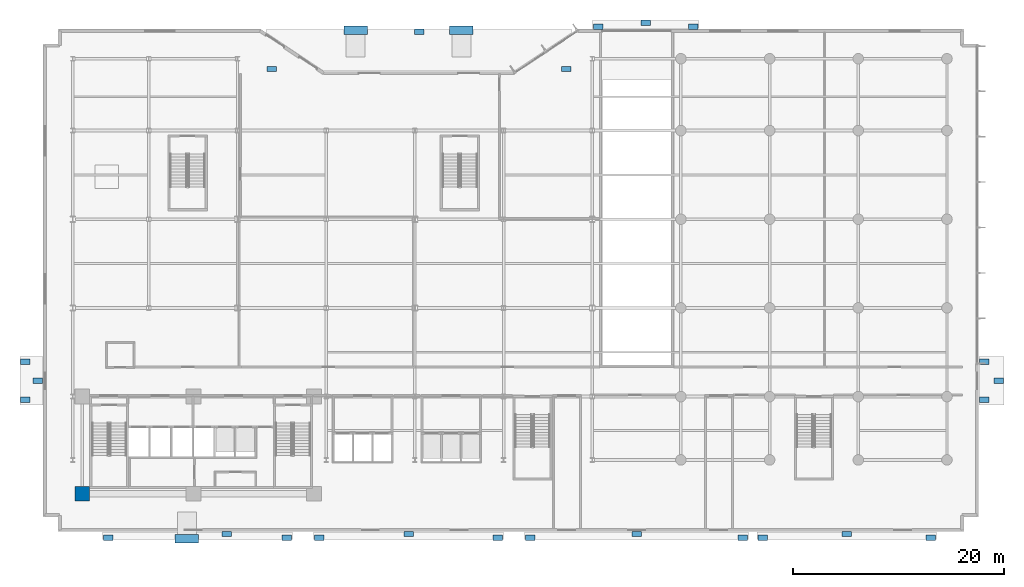
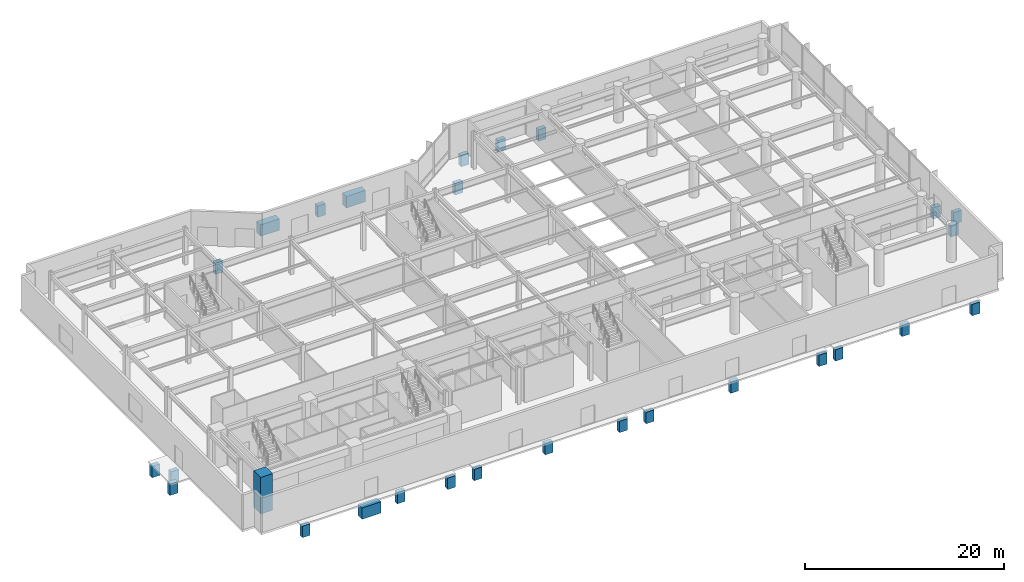
# One storey, part 1 of 26: 27 footings, 1 column.
"""IFC4 building model written with IfcOpenShell, lengths in metres."""

from ifc_helpers import new_model, si_unit, direction, frame, origin, origin_2d, place, context, subcontext, project, spatial, rectangle, extrude, material, layer, layer_set, material_profile, profile_set, type_object, element, save


model = new_model("IFC4")

# Units and contexts
model_context = context("Model", 3, precision=1e-05, world=origin(), true_north=direction((0.0, 1.0)))
body_context = subcontext(model_context, "Body", "Model", "MODEL_VIEW")
ifc_project = project(units=[si_unit("LENGTHUNIT", "METRE"), si_unit("AREAUNIT", "SQUARE_METRE"), si_unit("VOLUMEUNIT", "CUBIC_METRE"), si_unit("PLANEANGLEUNIT", "RADIAN"), si_unit("MASSUNIT", "GRAM", prefix="KILO")], contexts=[model_context])

# Site, building, storey
site_placement = place(None, origin())
site = spatial("IfcSite", under=ifc_project, at=site_placement, CompositionType="ELEMENT")
building_placement = place(site_placement, origin())
building = spatial("IfcBuilding", under=site, at=building_placement, Name="Varnakote Quay Hospital", CompositionType="ELEMENT")
storey_placement = place(building_placement, origin())
storey = spatial("IfcBuildingStorey", under=building, at=storey_placement, Name="L00", CompositionType="ELEMENT", Elevation=0.0)

# Footings
ifc_material_1 = material(Name="Concrete N50 (f'c 50 MPa)", Category="concrete")
ifc_layer = layer(ifc_material_1, 1.39990234375)
ifc_layer_set = layer_set([ifc_layer], Name="Concrete N50 (f'c 50 MPa)")
footing_type = type_object("IfcFootingType", Name="FTG-PAD-1400", PredefinedType="PAD_FOOTING", material=ifc_layer_set)
for number, where, z_axis, x_axis, name in (
    (1, (20.050048828125, 43.030029296875, -1.58984375), (0.0, 0.0, 1.0), (1.0, 0.0, 0.0), "Grade Apron Support Pad Footing 1"),
    (2, (47.949951171875, 43.030029296875, -1.58984375), (0.0, 0.0, 1.0), (1.0, 0.0, 0.0), "Grade Apron Support Pad Footing 1"),
    (3, (34.0, 46.570068359375, -1.58984375), (0.0, 0.0, 1.0), (1.0, 0.0, 0.0), "Grade Apron Support Pad Footing 1"),
    (4, (50.949951171875, 47.030029296875, -1.58984375), (0.0, 0.0, 1.0), (1.0, 0.0, 0.0), "Grade Apron Support Pad Footing 2"),
    (5, (59.949951171875, 47.030029296875, -1.58984375), (0.0, 0.0, 1.0), (1.0, 0.0, 0.0), "Grade Apron Support Pad Footing 2"),
    (6, (55.449951171875, 47.419921875, -1.58984375), (0.0, 0.0, 1.0), (1.0, 0.0, 0.0), "Grade Apron Support Pad Footing 2"),
    (7, (4.550048828125, -1.3701171875, -1.58984375), (0.0, 0.0, 1.0), (1.0, 0.0, 0.0), "Grade Apron Support Pad Footing 3"),
    (8, (21.449951171875, -1.3701171875, -1.58984375), (0.0, 0.0, 1.0), (1.0, 0.0, 0.0), "Grade Apron Support Pad Footing 3"),
    (9, (15.800048828125, -1.010009765625, -1.58984375), (0.0, 0.0, 1.0), (1.0, 0.0, 0.0), "Grade Apron Support Pad Footing 3"),
    (10, (24.550048828125, -1.3701171875, -1.58984375), (0.0, 0.0, 1.0), (1.0, 0.0, 0.0), "Grade Apron Support Pad Footing 4"),
    (11, (41.449951171875, -1.3701171875, -1.58984375), (0.0, 0.0, 1.0), (1.0, 0.0, 0.0), "Grade Apron Support Pad Footing 4"),
    (12, (33.0, -1.010009765625, -1.58984375), (0.0, 0.0, 1.0), (1.0, 0.0, 0.0), "Grade Apron Support Pad Footing 4"),
    (13, (44.550048828125, -1.3701171875, -1.58984375), (0.0, 0.0, 1.0), (1.0, 0.0, 0.0), "Grade Apron Support Pad Footing 5"),
    (14, (64.64990234375, -1.3701171875, -1.58984375), (0.0, 0.0, 1.0), (1.0, 0.0, 0.0), "Grade Apron Support Pad Footing 5"),
    (15, (54.60009765625, -1.010009765625, -1.58984375), (0.0, 0.0, 1.0), (1.0, 0.0, 0.0), "Grade Apron Support Pad Footing 5"),
    (16, (66.550048828125, -1.3701171875, -1.58984375), (0.0, 0.0, 1.0), (1.0, 0.0, 0.0), "Grade Apron Support Pad Footing 6"),
    (17, (82.449951171875, -1.3701171875, -1.58984375), (0.0, 0.0, 1.0), (1.0, 0.0, 0.0), "Grade Apron Support Pad Footing 6"),
    (18, (74.5, -1.010009765625, -1.58984375), (0.0, 0.0, 1.0), (1.0, 0.0, 0.0), "Grade Apron Support Pad Footing 6"),
    (19, (-3.300048828125, 11.699951171875, -1.58984375), (0.0, 0.0, 1.0), (1.0, 0.0, 0.0), "Grade Apron Support Pad Footing 7"),
    (20, (-2.1201171875, 13.5, -1.58984375), (0.0, 0.0, 1.0), (1.0, 0.0, 0.0), "Grade Apron Support Pad Footing 7"),
    (21, (-3.300048828125, 15.300048828125, -1.58984375), (0.0, 0.0, 1.0), (1.0, 0.0, 0.0), "Grade Apron Support Pad Footing 7"),
    (22, (87.52001953125, 11.699951171875, -1.58984375), (0.0, 0.0, 1.0), (1.0, 0.0, 0.0), "Grade Apron Support Pad Footing 8"),
    (23, (88.89990234375, 13.5, -1.58984375), (0.0, 0.0, 1.0), (1.0, 0.0, 0.0), "Grade Apron Support Pad Footing 8"),
    (24, (87.52001953125, 15.300048828125, -1.58984375), (0.0, 0.0, 1.0), (1.0, 0.0, 0.0), "Grade Apron Support Pad Footing 8"),
):
    element("IfcFooting", number, at=place(storey_placement, frame(where, z_axis=z_axis, x_axis=x_axis)), inside=storey, type_object=footing_type, Name=name, PredefinedType="PAD_FOOTING", context=body_context, shape_type="SweptSolid", body=[
        extrude(rectangle(XDim=0.89990234375, YDim=0.5, at=origin_2d()), origin(), (0.0, 0.0, 1.0), 1.39990234375),
    ])
for number, where, z_axis, x_axis, name in (
    (25, (28.0, 46.699951171875, -1.579833984375), (0.0, 0.0, 1.0), (1.0, 0.0, 0.0), "Accessible Ramp Toe Pad Footing 1"),
    (26, (38.0, 46.699951171875, -1.579833984375), (0.0, 0.0, 1.0), (1.0, 0.0, 0.0), "Accessible Ramp Toe Pad Footing 2"),
    (27, (12.0, -1.449951171875, -1.579833984375), (0.0, 0.0, 1.0), (1.0, 0.0, 0.0), "Accessible Ramp Toe Pad Footing 3"),
):
    element("IfcFooting", number, at=place(storey_placement, frame(where, z_axis=z_axis, x_axis=x_axis)), inside=storey, type_object=footing_type, Name=name, PredefinedType="PAD_FOOTING", context=body_context, shape_type="SweptSolid", body=[
        extrude(rectangle(XDim=2.199951171875, YDim=0.800048828125, at=origin_2d()), origin(), (0.0, 0.0, 1.0), 1.39990234375),
    ])

# Column
ifc_material_2 = material(Name="Concrete N80 (f'c 80 MPa)", Category="concrete")
ifc_material_profile = material_profile(ifc_material_2, rectangle(XDim=1.39990234375, YDim=1.39990234375, at=origin_2d()), Name="RC-COL-1400x1400")
ifc_profile_set = profile_set([ifc_material_profile], Name="Concrete N80 (f'c 80 MPa)")
column_type = type_object("IfcColumnType", Name="COL-RC-1400", PredefinedType="COLUMN", material=ifc_profile_set)
column_placement = place(storey_placement, frame((2.10009765625, 2.800048828125, 0.0), z_axis=(0.0, 0.0, 1.0), x_axis=(1.0, 0.0, 0.0)))
element("IfcColumn", 28, at=column_placement, inside=storey, type_object=column_type, Name="L00 Structural Column C-2-3", PredefinedType="COLUMN", context=body_context, shape_type="SweptSolid", body=[
    extrude(rectangle(XDim=1.39990234375, YDim=1.39990234375, at=origin_2d()), origin(), (0.0, 0.0, 1.0), 4.5),
])

save(model, "model.ifc")
